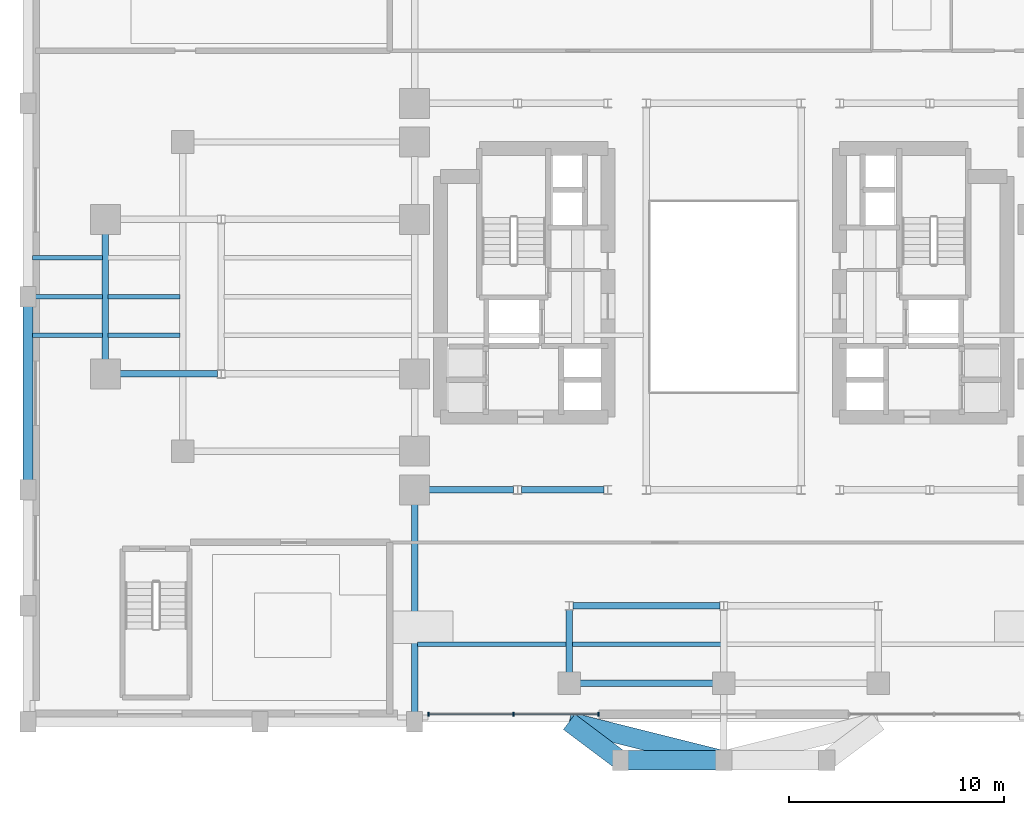
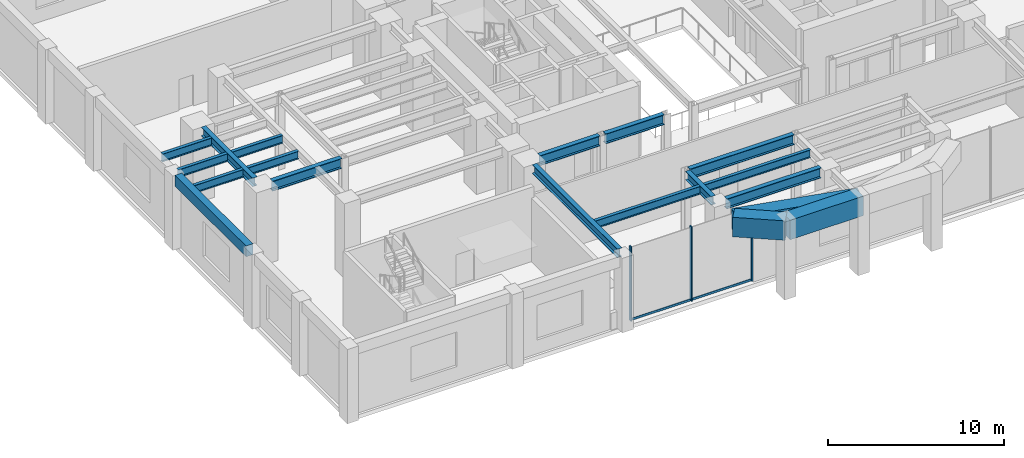
# One storey, part 4 of 16: 19 beams, 5 members, 1 element without a shape of its own.
"""IFC4 building model written with IfcOpenShell, lengths in metres."""

from ifc_helpers import new_model, si_unit, direction, frame, origin, origin_2d, place, context, subcontext, project, spatial, rectangle, i_section, extrude, source, transform, mapped, material, material_profile, profile_set, type_object, element, aggregate, save


model = new_model("IFC4")

# Units and contexts
model_context = context("Model", 3, precision=1e-05, world=origin(), true_north=direction((0.0, 1.0)))
body_context = subcontext(model_context, "Body", "Model", "MODEL_VIEW")
ifc_project = project(units=[si_unit("LENGTHUNIT", "METRE"), si_unit("AREAUNIT", "SQUARE_METRE"), si_unit("VOLUMEUNIT", "CUBIC_METRE"), si_unit("PLANEANGLEUNIT", "RADIAN"), si_unit("MASSUNIT", "GRAM", prefix="KILO")], contexts=[model_context])

# Site, building, storey
site_placement = place(None, origin())
site = spatial("IfcSite", under=ifc_project, at=site_placement, CompositionType="ELEMENT")
building_placement = place(site_placement, origin())
building = spatial("IfcBuilding", under=site, at=building_placement, Name="Keilestroom Media Tower", CompositionType="ELEMENT")
storey_placement = place(building_placement, frame((0.0, 0.0, 10.199951171875)))
storey = spatial("IfcBuildingStorey", under=building, at=storey_placement, Name="L02", CompositionType="ELEMENT", Elevation=10.199951171875)

# Beams
ifc_material_1 = material(Name="Concrete C55/67", Category="concrete")
ifc_material_profile_1 = material_profile(ifc_material_1, rectangle(XDim=0.89990234375, YDim=1.35009765625, at=origin_2d()), Name="RC 900x1350")
ifc_profile_set_1 = profile_set([ifc_material_profile_1], Name="Concrete C55/67")
beam_type_1 = type_object("IfcBeamType", Name="Primary-Structural-Girder-RC-900x1350", PredefinedType="BEAM", material=ifc_profile_set_1)
shared_shape_1 = source(origin(), body_context, "Body", "SweptSolid", [
    extrude(rectangle(XDim=0.89990234375, YDim=1.35009765625, at=origin_2d()), origin(), (0.0, 0.0, 1.0), 3.0),
])
beam_1_placement = place(storey_placement, frame((-4.800048828125, -21.60009765625, 4.705078125), z_axis=(-0.799980468008, 0.600026041773, 0.0), x_axis=(-0.600026041773, -0.799980468008, 0.0)))
element("IfcBeam", 1, at=beam_1_placement, inside=storey, type_object=beam_type_1, Name="L02 South-Lobe Podium Tie Girder 1", PredefinedType="BEAM", context=body_context, shape_type="MappedRepresentation", body=[
    mapped(shared_shape_1, transform((0.0, 0.0, 0.0), x_axis=(1.0, 0.0, 0.0), y_axis=(0.0, 1.0, 0.0), z_axis=(0.0, 0.0, 1.0), scale=1.0)),
])
shared_shape_2 = source(origin(), body_context, "Body", "SweptSolid", [
    extrude(rectangle(XDim=0.89990234375, YDim=1.35009765625, at=origin_2d()), origin(), (0.0, 0.0, 1.0), 7.421630859375),
])
beam_2_placement = place(storey_placement, frame((0.0, -21.60009765625, 4.705078125), z_axis=(-0.970140565046, 0.242543365301, 0.0), x_axis=(-0.242543365301, -0.970140565046, 0.0)))
element("IfcBeam", 2, at=beam_2_placement, inside=storey, type_object=beam_type_1, Name="L02 South-Lobe Podium Tie Girder 2", PredefinedType="BEAM", context=body_context, shape_type="MappedRepresentation", body=[
    mapped(shared_shape_2, transform((0.0, 0.0, 0.0), x_axis=(1.0, 0.0, 0.0), y_axis=(0.0, 1.0, 0.0), z_axis=(0.0, 0.0, 1.0), scale=1.0)),
])
shared_shape_3 = source(origin(), body_context, "Body", "SweptSolid", [
    extrude(rectangle(XDim=0.89990234375, YDim=1.35009765625, at=origin_2d()), origin(), (0.0, 0.0, 1.0), 4.800048828125),
])
beam_3_placement = place(storey_placement, frame((-4.800048828125, -21.60009765625, 4.705078125), z_axis=(1.0, 0.0, 0.0), x_axis=(0.0, 1.0, 0.0)))
element("IfcBeam", 3, at=beam_3_placement, inside=storey, type_object=beam_type_1, Name="L02 South-Lobe Transverse Tie Girder W", PredefinedType="BEAM", context=body_context, shape_type="MappedRepresentation", body=[
    mapped(shared_shape_3, transform((0.0, 0.0, 0.0), x_axis=(1.0, 0.0, 0.0), y_axis=(0.0, 1.0, 0.0), z_axis=(0.0, 0.0, 1.0), scale=1.0)),
])
ifc_material_2 = material(Name="Precast concrete C40/50", Category="concrete")
ifc_material_profile_2 = material_profile(ifc_material_2, rectangle(XDim=0.449951171875, YDim=0.75, at=origin_2d()), Name="PC 450x750")
ifc_profile_set_2 = profile_set([ifc_material_profile_2], Name="Precast concrete C40/50")
beam_type_2 = type_object("IfcBeamType", Name="Perimeter-Spandrel-Beam-PC-450x750", PredefinedType="SPANDREL", material=ifc_profile_set_2)
shared_shape_4 = source(origin(), body_context, "Body", "SweptSolid", [
    extrude(rectangle(XDim=0.449951171875, YDim=0.75, at=origin_2d()), origin(), (0.0, 0.0, 1.0), 8.08984375),
])
beam_4_placement = place(storey_placement, frame((-32.39990234375, -8.544921875, 4.775146484375), z_axis=(0.0, 1.0, 0.0), x_axis=(-1.0, 0.0, 0.0)))
element("IfcBeam", 4, at=beam_4_placement, inside=storey, type_object=beam_type_2, Name="L02 Beam SPB-1 BM-L02-NS-047", PredefinedType="SPANDREL", context=body_context, shape_type="MappedRepresentation", body=[
    mapped(shared_shape_4, transform((0.0, 0.0, 0.0), x_axis=(1.0, 0.0, 0.0), y_axis=(0.0, 1.0, 0.0), z_axis=(0.0, 0.0, 1.0), scale=1.0)),
])
ifc_material_3 = material(Name="Steel S355", Category="steel")
ifc_material_profile_3 = material_profile(ifc_material_3, i_section(OverallWidth=0.300048828125, OverallDepth=0.60009765625, WebThickness=0.013427734375, FlangeThickness=0.030029296875, at=origin_2d()), Name="HEB 600")
ifc_profile_set_3 = profile_set([ifc_material_profile_3], Name="Steel S355")
beam_type_3 = type_object("IfcBeamType", Name="Primary-Structural-Girder-HEB-600", PredefinedType="BEAM", material=ifc_profile_set_3)
shared_shape_5 = source(origin(), body_context, "Body", "SweptSolid", [
    extrude(i_section(OverallWidth=0.300048828125, OverallDepth=0.60009765625, WebThickness=0.013427734375, FlangeThickness=0.030029296875, at=origin_2d()), origin(), (0.0, 0.0, 1.0), 5.83984375),
])
beam_5_placement = place(storey_placement, frame((-28.800048828125, -2.919921875, 4.85009765625), z_axis=(0.0, 1.0, 0.0), x_axis=(-1.0, 0.0, 0.0)))
element("IfcBeam", 5, at=beam_5_placement, inside=storey, type_object=beam_type_3, Name="L02 Beam BG-4 BM-L02-NS-051", PredefinedType="BEAM", context=body_context, shape_type="MappedRepresentation", body=[
    mapped(shared_shape_5, transform((0.0, 0.0, 0.0), x_axis=(1.0, 0.0, 0.0), y_axis=(0.0, 1.0, 0.0), z_axis=(0.0, 0.0, 1.0), scale=1.0)),
])
shared_shape_6 = source(origin(), body_context, "Body", "SweptSolid", [
    extrude(i_section(OverallWidth=0.300048828125, OverallDepth=0.60009765625, WebThickness=0.013427734375, FlangeThickness=0.030029296875, at=origin_2d()), origin(), (0.0, 0.0, 1.0), 9.6650390625),
])
beam_6_placement = place(storey_placement, frame((-14.39990234375, -19.344970703125, 4.85009765625), z_axis=(0.0, 1.0, 0.0), x_axis=(-1.0, 0.0, 0.0)))
element("IfcBeam", 6, at=beam_6_placement, inside=storey, type_object=beam_type_3, Name="L02 Beam BG-4 BM-L02-NS-054", PredefinedType="BEAM", context=body_context, shape_type="MappedRepresentation", body=[
    mapped(shared_shape_6, transform((0.0, 0.0, 0.0), x_axis=(1.0, 0.0, 0.0), y_axis=(0.0, 1.0, 0.0), z_axis=(0.0, 0.0, 1.0), scale=1.0)),
])
shared_shape_7 = source(origin(), body_context, "Body", "SweptSolid", [
    extrude(i_section(OverallWidth=0.300048828125, OverallDepth=0.60009765625, WebThickness=0.013427734375, FlangeThickness=0.030029296875, at=origin_2d()), origin(), (0.0, 0.0, 1.0), 2.9072265625),
])
beam_7_placement = place(storey_placement, frame((-7.199951171875, -17.4951171875, 4.85009765625), z_axis=(0.0, 1.0, 0.0), x_axis=(-1.0, 0.0, 0.0)))
element("IfcBeam", 7, at=beam_7_placement, inside=storey, type_object=beam_type_3, Name="L02 Beam BG-4 BM-L02-NS-062", PredefinedType="BEAM", context=body_context, shape_type="MappedRepresentation", body=[
    mapped(shared_shape_7, transform((0.0, 0.0, 0.0), x_axis=(1.0, 0.0, 0.0), y_axis=(0.0, 1.0, 0.0), z_axis=(0.0, 0.0, 1.0), scale=1.0)),
])
ifc_material_4 = material(Name="Steel S460", Category="steel")
ifc_material_profile_4 = material_profile(ifc_material_4, i_section(OverallWidth=0.300048828125, OverallDepth=0.699951171875, WebThickness=0.014404296875, FlangeThickness=0.031982421875, at=origin_2d()), Name="HEB 700")
ifc_profile_set_4 = profile_set([ifc_material_profile_4], Name="Steel S460")
beam_type_4 = type_object("IfcBeamType", Name="Primary-Structural-Girder-HEB-700", PredefinedType="BEAM", material=ifc_profile_set_4)
shared_shape_8 = source(origin(), body_context, "Body", "SweptSolid", [
    extrude(i_section(OverallWidth=0.300048828125, OverallDepth=0.699951171875, WebThickness=0.014404296875, FlangeThickness=0.031982421875, at=origin_2d()), origin(), (0.0, 0.0, 1.0), 6.190185546875),
])
beam_8_placement = place(storey_placement, frame((-6.695068359375, -18.0, 4.800048828125), z_axis=(1.0, 0.0, 0.0), x_axis=(0.0, 1.0, 0.0)))
element("IfcBeam", 8, at=beam_8_placement, inside=storey, type_object=beam_type_4, Name="L02 Beam BG-2 BM-L02-EW-005", PredefinedType="BEAM", context=body_context, shape_type="MappedRepresentation", body=[
    mapped(shared_shape_8, transform((0.0, 0.0, 0.0), x_axis=(1.0, 0.0, 0.0), y_axis=(0.0, 1.0, 0.0), z_axis=(0.0, 0.0, 1.0), scale=1.0)),
])
shared_shape_9 = source(origin(), body_context, "Body", "SweptSolid", [
    extrude(i_section(OverallWidth=0.300048828125, OverallDepth=0.699951171875, WebThickness=0.014404296875, FlangeThickness=0.031982421875, at=origin_2d()), origin(), (0.0, 0.0, 1.0), 6.833984375),
])
beam_9_placement = place(storey_placement, frame((-7.01708984375, -14.39990234375, 4.800048828125), z_axis=(1.0, 0.0, 0.0), x_axis=(0.0, 1.0, 0.0)))
element("IfcBeam", 9, at=beam_9_placement, inside=storey, type_object=beam_type_4, Name="L02 Beam BG-2 BM-L02-EW-007", PredefinedType="BEAM", context=body_context, shape_type="MappedRepresentation", body=[
    mapped(shared_shape_9, transform((0.0, 0.0, 0.0), x_axis=(1.0, 0.0, 0.0), y_axis=(0.0, 1.0, 0.0), z_axis=(0.0, 0.0, 1.0), scale=1.0)),
])
shared_shape_10 = source(origin(), body_context, "Body", "SweptSolid", [
    extrude(i_section(OverallWidth=0.300048828125, OverallDepth=0.699951171875, WebThickness=0.014404296875, FlangeThickness=0.031982421875, at=origin_2d()), origin(), (0.0, 0.0, 1.0), 3.93701171875),
])
beam_10_placement = place(storey_placement, frame((-13.719970703125, -9.0, 4.800048828125), z_axis=(1.0, 0.0, 0.0), x_axis=(0.0, 1.0, 0.0)))
element("IfcBeam", 10, at=beam_10_placement, inside=storey, type_object=beam_type_4, Name="L02 Beam BG-2 BM-L02-EW-009", PredefinedType="BEAM", context=body_context, shape_type="MappedRepresentation", body=[
    mapped(shared_shape_10, transform((0.0, 0.0, 0.0), x_axis=(1.0, 0.0, 0.0), y_axis=(0.0, 1.0, 0.0), z_axis=(0.0, 0.0, 1.0), scale=1.0)),
])
shared_shape_11 = source(origin(), body_context, "Body", "SweptSolid", [
    extrude(i_section(OverallWidth=0.300048828125, OverallDepth=0.699951171875, WebThickness=0.014404296875, FlangeThickness=0.031982421875, at=origin_2d()), origin(), (0.0, 0.0, 1.0), 3.833984375),
])
beam_11_placement = place(storey_placement, frame((-9.4169921875, -9.0, 4.800048828125), z_axis=(1.0, 0.0, 0.0), x_axis=(0.0, 1.0, 0.0)))
element("IfcBeam", 11, at=beam_11_placement, inside=storey, type_object=beam_type_4, Name="L02 Beam BG-2 BM-L02-EW-010", PredefinedType="BEAM", context=body_context, shape_type="MappedRepresentation", body=[
    mapped(shared_shape_11, transform((0.0, 0.0, 0.0), x_axis=(1.0, 0.0, 0.0), y_axis=(0.0, 1.0, 0.0), z_axis=(0.0, 0.0, 1.0), scale=1.0)),
])
shared_shape_12 = source(origin(), body_context, "Body", "SweptSolid", [
    extrude(i_section(OverallWidth=0.300048828125, OverallDepth=0.699951171875, WebThickness=0.014404296875, FlangeThickness=0.031982421875, at=origin_2d()), origin(), (0.0, 0.0, 1.0), 4.537109375),
])
beam_12_placement = place(storey_placement, frame((-28.1201171875, -3.60009765625, 4.800048828125), z_axis=(1.0, 0.0, 0.0), x_axis=(0.0, 1.0, 0.0)))
element("IfcBeam", 12, at=beam_12_placement, inside=storey, type_object=beam_type_4, Name="L02 Beam BG-2 BM-L02-EW-018", PredefinedType="BEAM", context=body_context, shape_type="MappedRepresentation", body=[
    mapped(shared_shape_12, transform((0.0, 0.0, 0.0), x_axis=(1.0, 0.0, 0.0), y_axis=(0.0, 1.0, 0.0), z_axis=(0.0, 0.0, 1.0), scale=1.0)),
])
ifc_material_profile_5 = material_profile(ifc_material_3, i_section(OverallWidth=0.2099609375, OverallDepth=0.550048828125, WebThickness=0.010986328125, FlangeThickness=0.01708984375, at=origin_2d()), Name="IPE 550")
ifc_profile_set_5 = profile_set([ifc_material_profile_5], Name="Steel S355")
beam_type_5 = type_object("IfcBeamType", Name="Secondary-Floor-Joist-IPE-550", PredefinedType="JOIST", material=ifc_profile_set_5)
shared_shape_13 = source(origin(), body_context, "Body", "SweptSolid", [
    extrude(i_section(OverallWidth=0.2099609375, OverallDepth=0.550048828125, WebThickness=0.010986328125, FlangeThickness=0.01708984375, at=origin_2d()), origin(), (0.0, 0.0, 1.0), 6.93994140625),
])
beam_13_placement = place(storey_placement, frame((-14.27001953125, -16.199951171875, 4.875), z_axis=(1.0, 0.0, 0.0), x_axis=(0.0, 1.0, 0.0)))
element("IfcBeam", 13, at=beam_13_placement, inside=storey, type_object=beam_type_5, Name="L02 Beam BJ-1 JST-L02-091", PredefinedType="JOIST", context=body_context, shape_type="MappedRepresentation", body=[
    mapped(shared_shape_13, transform((0.0, 0.0, 0.0), x_axis=(1.0, 0.0, 0.0), y_axis=(0.0, 1.0, 0.0), z_axis=(0.0, 0.0, 1.0), scale=1.0)),
])
shared_shape_14 = source(origin(), body_context, "Body", "SweptSolid", [
    extrude(i_section(OverallWidth=0.2099609375, OverallDepth=0.550048828125, WebThickness=0.010986328125, FlangeThickness=0.01708984375, at=origin_2d()), origin(), (0.0, 0.0, 1.0), 6.940185546875),
])
beam_14_placement = place(storey_placement, frame((-7.070068359375, -16.199951171875, 4.875), z_axis=(1.0, 0.0, 0.0), x_axis=(0.0, 1.0, 0.0)))
element("IfcBeam", 14, at=beam_14_placement, inside=storey, type_object=beam_type_5, Name="L02 Beam BJ-1 JST-L02-092", PredefinedType="JOIST", context=body_context, shape_type="MappedRepresentation", body=[
    mapped(shared_shape_14, transform((0.0, 0.0, 0.0), x_axis=(1.0, 0.0, 0.0), y_axis=(0.0, 1.0, 0.0), z_axis=(0.0, 0.0, 1.0), scale=1.0)),
])
shared_shape_15 = source(origin(), body_context, "Body", "SweptSolid", [
    extrude(i_section(OverallWidth=0.2099609375, OverallDepth=0.550048828125, WebThickness=0.010986328125, FlangeThickness=0.01708984375, at=origin_2d()), origin(), (0.0, 0.0, 1.0), 3.26513671875),
])
for number, where, z_axis, x_axis, name in (
    (15, (-32.195068359375, -1.800048828125, 4.875), (1.0, 0.0, 0.0), (0.0, 1.0, 0.0), "L02 Beam BJ-1 JST-L02-095"),
    (16, (-32.195068359375, 0.0, 4.875), (1.0, 0.0, 0.0), (0.0, 1.0, 0.0), "L02 Beam BJ-1 JST-L02-104"),
    (17, (-32.195068359375, 1.800048828125, 4.875), (1.0, 0.0, 0.0), (0.0, 1.0, 0.0), "L02 Beam BJ-1 JST-L02-113"),
):
    element("IfcBeam", number, at=place(storey_placement, frame(where, z_axis=z_axis, x_axis=x_axis)), inside=storey, type_object=beam_type_5, Name=name, PredefinedType="JOIST", context=body_context, shape_type="MappedRepresentation", body=[
        mapped(shared_shape_15, transform((0.0, 0.0, 0.0), x_axis=(1.0, 0.0, 0.0), y_axis=(0.0, 1.0, 0.0), z_axis=(0.0, 0.0, 1.0), scale=1.0)),
    ])
shared_shape_16 = source(origin(), body_context, "Body", "SweptSolid", [
    extrude(i_section(OverallWidth=0.2099609375, OverallDepth=0.550048828125, WebThickness=0.010986328125, FlangeThickness=0.01708984375, at=origin_2d()), origin(), (0.0, 0.0, 1.0), 3.33984375),
])
for number, where, z_axis, x_axis, name in (
    (18, (-28.669921875, -1.800048828125, 4.875), (1.0, 0.0, 0.0), (0.0, 1.0, 0.0), "L02 Beam BJ-1 JST-L02-096"),
    (19, (-28.669921875, 0.0, 4.875), (1.0, 0.0, 0.0), (0.0, 1.0, 0.0), "L02 Beam BJ-1 JST-L02-105"),
):
    element("IfcBeam", number, at=place(storey_placement, frame(where, z_axis=z_axis, x_axis=x_axis)), inside=storey, type_object=beam_type_5, Name=name, PredefinedType="JOIST", context=body_context, shape_type="MappedRepresentation", body=[
        mapped(shared_shape_16, transform((0.0, 0.0, 0.0), x_axis=(1.0, 0.0, 0.0), y_axis=(0.0, 1.0, 0.0), z_axis=(0.0, 0.0, 1.0), scale=1.0)),
    ])

# Curtain wall, members
ifc_material_5 = material(Name="Anodised Aluminium Alloy", Category="aluminium")
curtain_wall_type = type_object("IfcCurtainWallType", Name="Unitised-Curtain-Wall-CW-5", PredefinedType="NOTDEFINED", material=ifc_material_5)
curtain_wall_placement = place(storey_placement, origin())
curtain_wall = element("IfcCurtainWall", 20, at=curtain_wall_placement, inside=storey, type_object=curtain_wall_type, Name="L02 Curtain Wall CW-5 CW-L02-S-ATR", PredefinedType="NOTDEFINED")
ifc_material_profile_6 = material_profile(ifc_material_5, rectangle(XDim=0.070068359375, YDim=0.199951171875, at=origin_2d()), Name="ALU MULLION 70x200")
ifc_profile_set_6 = profile_set([ifc_material_profile_6], Name="Anodised Aluminium Alloy")
member_type_1 = type_object("IfcMemberType", Name="Curtain-Wall-Mullion-CW-5", PredefinedType="MULLION", material=ifc_profile_set_6)
shared_shape_17 = source(origin(), body_context, "Body", "SweptSolid", [
    extrude(rectangle(XDim=0.070068359375, YDim=0.199951171875, at=origin_2d()), origin(), (0.0, 0.0, 1.0), 5.150146484375),
])
member_1_placement = place(storey_placement, frame((-13.7451171875, -19.449951171875, 0.0), z_axis=(0.0, 0.0, 1.0), x_axis=(1.0, 0.0, 0.0)))
member_1 = element("IfcMember", 21, at=member_1_placement, type_object=member_type_1, Name="CW-5 Mullion 00", PredefinedType="MULLION", context=body_context, shape_type="MappedRepresentation", body=[
    mapped(shared_shape_17, transform((0.0, 0.0, 0.0), x_axis=(1.0, 0.0, 0.0), y_axis=(0.0, 1.0, 0.0), z_axis=(0.0, 0.0, 1.0), scale=1.0)),
])
member_2_placement = place(storey_placement, frame((-9.7900390625, -19.449951171875, 0.0), z_axis=(0.0, 0.0, 1.0), x_axis=(1.0, 0.0, 0.0)))
member_2 = element("IfcMember", 22, at=member_2_placement, type_object=member_type_1, Name="CW-5 Mullion 01", PredefinedType="MULLION", context=body_context, shape_type="MappedRepresentation", body=[
    mapped(shared_shape_17, transform((0.0, 0.0, 0.0), x_axis=(1.0, 0.0, 0.0), y_axis=(0.0, 1.0, 0.0), z_axis=(0.0, 0.0, 1.0), scale=1.0)),
])
member_3_placement = place(storey_placement, frame((-5.8349609375, -19.449951171875, 0.0), z_axis=(0.0, 0.0, 1.0), x_axis=(1.0, 0.0, 0.0)))
member_3 = element("IfcMember", 23, at=member_3_placement, type_object=member_type_1, Name="CW-5 Mullion 02", PredefinedType="MULLION", context=body_context, shape_type="MappedRepresentation", body=[
    mapped(shared_shape_17, transform((0.0, 0.0, 0.0), x_axis=(1.0, 0.0, 0.0), y_axis=(0.0, 1.0, 0.0), z_axis=(0.0, 0.0, 1.0), scale=1.0)),
])
ifc_material_profile_7 = material_profile(ifc_material_5, rectangle(XDim=0.06494140625, YDim=0.14990234375, at=origin_2d()), Name="ALU TRANSOM 65x150")
ifc_profile_set_7 = profile_set([ifc_material_profile_7], Name="Anodised Aluminium Alloy")
member_type_2 = type_object("IfcMemberType", Name="Curtain-Wall-Transom-CW-5", PredefinedType="USERDEFINED", material=ifc_profile_set_7)
shared_shape_18 = source(origin(), body_context, "Body", "SweptSolid", [
    extrude(rectangle(XDim=0.06494140625, YDim=0.14990234375, at=origin_2d()), origin(), (0.0, 0.0, 1.0), 3.888916015625),
])
member_4_placement = place(storey_placement, frame((-13.7119140625, -19.449951171875, 0.074951171875), z_axis=(1.0, 0.0, 0.0), x_axis=(0.0, 1.0, 0.0)))
member_4 = element("IfcMember", 24, at=member_4_placement, type_object=member_type_2, Name="CW-5 Transom 00.1", ObjectType="TRANSOM", PredefinedType="USERDEFINED", context=body_context, shape_type="MappedRepresentation", body=[
    mapped(shared_shape_18, transform((0.0, 0.0, 0.0), x_axis=(1.0, 0.0, 0.0), y_axis=(0.0, 1.0, 0.0), z_axis=(0.0, 0.0, 1.0), scale=1.0)),
])
shared_shape_19 = source(origin(), body_context, "Body", "SweptSolid", [
    extrude(rectangle(XDim=0.06494140625, YDim=0.14990234375, at=origin_2d()), origin(), (0.0, 0.0, 1.0), 3.88916015625),
])
member_5_placement = place(storey_placement, frame((-9.757080078125, -19.449951171875, 0.074951171875), z_axis=(1.0, 0.0, 0.0), x_axis=(0.0, 1.0, 0.0)))
member_5 = element("IfcMember", 25, at=member_5_placement, type_object=member_type_2, Name="CW-5 Transom 01.1", ObjectType="TRANSOM", PredefinedType="USERDEFINED", context=body_context, shape_type="MappedRepresentation", body=[
    mapped(shared_shape_19, transform((0.0, 0.0, 0.0), x_axis=(1.0, 0.0, 0.0), y_axis=(0.0, 1.0, 0.0), z_axis=(0.0, 0.0, 1.0), scale=1.0)),
])
aggregate(curtain_wall, [member_1, member_2, member_3, member_4, member_5])

save(model, "model.ifc")
